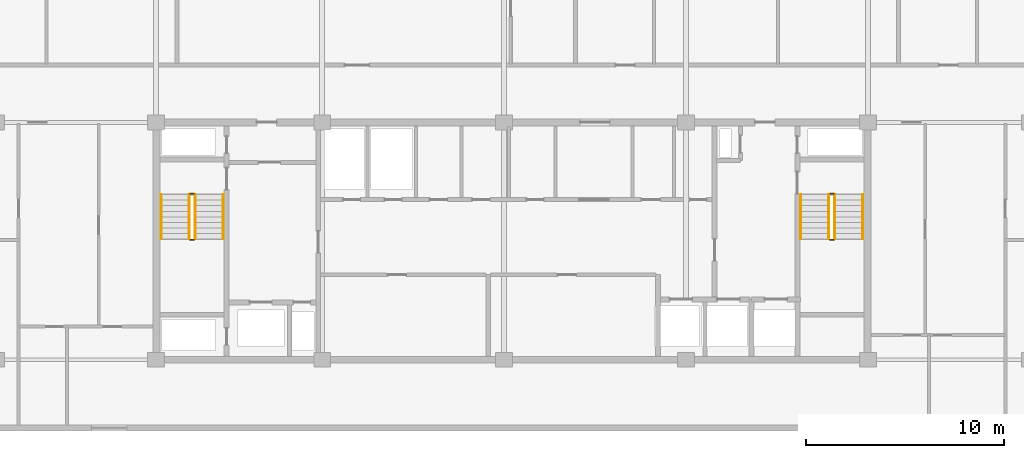
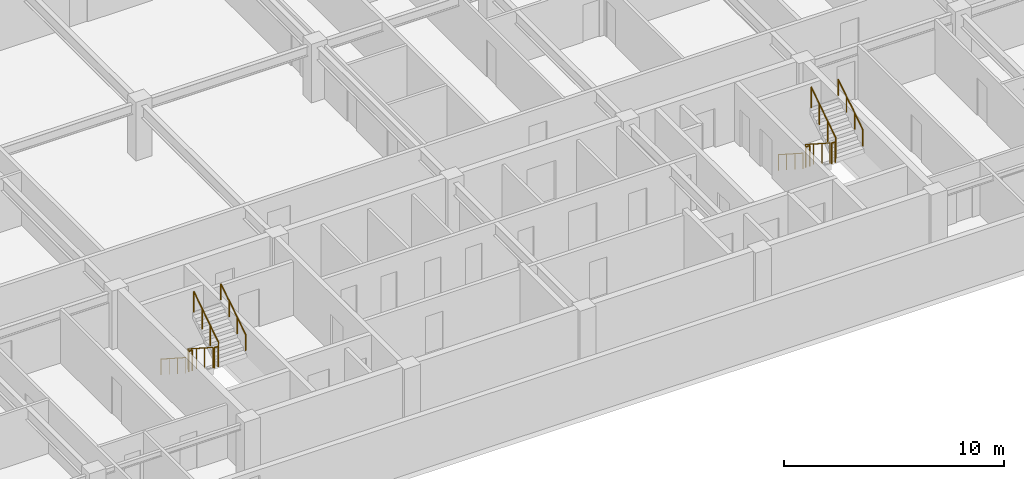
# One storey, part 10 of 11: 12 railings.
"""IFC4 building model written with IfcOpenShell, lengths in metres."""

from ifc_helpers import new_model, si_unit, direction, frame, origin, origin_2d, place, context, subcontext, project, spatial, circle, extrude, material, type_object, element, save


model = new_model("IFC4")

# Units and contexts
model_context = context("Model", 3, precision=1e-05, world=origin(), true_north=direction((0.0, 1.0)))
body_context = subcontext(model_context, "Body", "Model", "MODEL_VIEW")
ifc_project = project(units=[si_unit("LENGTHUNIT", "METRE"), si_unit("AREAUNIT", "SQUARE_METRE"), si_unit("VOLUMEUNIT", "CUBIC_METRE"), si_unit("PLANEANGLEUNIT", "RADIAN"), si_unit("MASSUNIT", "GRAM", prefix="KILO")], contexts=[model_context])

# Site, building, storey
site_placement = place(None, origin())
site = spatial("IfcSite", under=ifc_project, at=site_placement, CompositionType="ELEMENT")
building_placement = place(site_placement, origin())
building = spatial("IfcBuilding", under=site, at=building_placement, Name="Korimba Cascade Residences", CompositionType="ELEMENT")
storey_placement = place(building_placement, frame((0.0, 0.0, 220.60009765625)))
storey = spatial("IfcBuildingStorey", under=building, at=storey_placement, Name="L64", CompositionType="ELEMENT", Elevation=220.60009765625)

# Railings
ifc_material_1 = material(Name="Painted Steel Stairwell Guardrail", Category="steel")
railing_type_1 = type_object("IfcRailingType", Name="RLG-ST-GD1150", PredefinedType="GUARDRAIL", material=ifc_material_1)
railing_1_placement = place(storey_placement, frame((77.77001953125, 63.550048828125, 0.180419921875)))
element("IfcRailing", 1, at=railing_1_placement, inside=storey, type_object=railing_type_1, Name="L64 ST-W1 stair guard 1", PredefinedType="GUARDRAIL", context=body_context, shape_type="SweptSolid", body=[
    extrude(circle(Radius=0.02392578125, at=origin_2d()), frame((0.0, 0.0, 1.1259765625), z_axis=(0.0, -0.840394893359, 0.541974559565), x_axis=(1.0, 0.0, 0.0)), (0.0, 0.0, 1.0), 2.665283203125),
    extrude(circle(Radius=0.02099609375, at=origin_2d()), origin(), (0.0, 0.0, 1.0), 1.101806640625),
    extrude(circle(Radius=0.02099609375, at=origin_2d()), frame((0.0, -0.74658203125, 0.4814453125)), (0.0, 0.0, 1.0), 1.101806640625),
    extrude(circle(Radius=0.02099609375, at=origin_2d()), frame((0.0, -1.493408203125, 0.963134765625)), (0.0, 0.0, 1.0), 1.101806640625),
    extrude(circle(Radius=0.02099609375, at=origin_2d()), frame((0.0, -2.239990234375, 1.444580078125)), (0.0, 0.0, 1.0), 1.101806640625),
])
railing_2_placement = place(storey_placement, frame((77.820068359375, 61.260009765625, 1.625)))
element("IfcRailing", 2, at=railing_2_placement, inside=storey, type_object=railing_type_1, Name="L64 ST-W1 stair guard 2", PredefinedType="GUARDRAIL", context=body_context, shape_type="SweptSolid", body=[
    extrude(circle(Radius=0.02392578125, at=origin_2d()), frame((0.0, 0.0, 1.1259765625), z_axis=(1.0, 0.0, 0.0), x_axis=(0.0, 1.0, 0.0)), (0.0, 0.0, 1.0), 0.199951171875),
    extrude(circle(Radius=0.02099609375, at=origin_2d()), origin(), (0.0, 0.0, 1.0), 1.101806640625),
    extrude(circle(Radius=0.02099609375, at=origin_2d()), frame((0.199951171875, 0.0, 0.0)), (0.0, 0.0, 1.0), 1.101806640625),
])
railing_3_placement = place(storey_placement, frame((78.070068359375, 61.31005859375, 1.805419921875)))
element("IfcRailing", 3, at=railing_3_placement, inside=storey, type_object=railing_type_1, Name="L64 ST-W1 stair guard 3", PredefinedType="GUARDRAIL", context=body_context, shape_type="SweptSolid", body=[
    extrude(circle(Radius=0.02392578125, at=origin_2d()), frame((0.0, 0.0, 1.1259765625), z_axis=(0.0, 0.840394893359, 0.541974559565), x_axis=(-1.0, 0.0, 0.0)), (0.0, 0.0, 1.0), 2.665283203125),
    extrude(circle(Radius=0.02099609375, at=origin_2d()), origin(), (0.0, 0.0, 1.0), 1.101806640625),
    extrude(circle(Radius=0.02099609375, at=origin_2d()), frame((0.0, 0.74658203125, 0.4814453125)), (0.0, 0.0, 1.0), 1.101806640625),
    extrude(circle(Radius=0.02099609375, at=origin_2d()), frame((0.0, 1.493408203125, 0.963134765625)), (0.0, 0.0, 1.0), 1.101806640625),
    extrude(circle(Radius=0.02099609375, at=origin_2d()), frame((0.0, 2.239990234375, 1.444580078125)), (0.0, 0.0, 1.0), 1.101806640625),
])
railing_4_placement = place(storey_placement, frame((77.820068359375, 63.60009765625, 0.0)))
element("IfcRailing", 4, at=railing_4_placement, inside=storey, type_object=railing_type_1, Name="L64 ST-W1 stair guard 4", PredefinedType="GUARDRAIL", context=body_context, shape_type="SweptSolid", body=[
    extrude(circle(Radius=0.02392578125, at=origin_2d()), frame((0.0, 0.0, 1.1259765625), z_axis=(1.0, 0.0, 0.0), x_axis=(0.0, 1.0, 0.0)), (0.0, 0.0, 1.0), 0.199951171875),
    extrude(circle(Radius=0.02099609375, at=origin_2d()), origin(), (0.0, 0.0, 1.0), 1.101806640625),
    extrude(circle(Radius=0.02099609375, at=origin_2d()), frame((0.199951171875, 0.0, 0.0)), (0.0, 0.0, 1.0), 1.101806640625),
])
railing_5_placement = place(storey_placement, frame((110.1298828125, 63.550048828125, 0.180419921875)))
element("IfcRailing", 5, at=railing_5_placement, inside=storey, type_object=railing_type_1, Name="L64 ST-W2 stair guard 1", PredefinedType="GUARDRAIL", context=body_context, shape_type="SweptSolid", body=[
    extrude(circle(Radius=0.02392578125, at=origin_2d()), frame((0.0, 0.0, 1.1259765625), z_axis=(0.0, -0.840394893359, 0.541974559565), x_axis=(1.0, 0.0, 0.0)), (0.0, 0.0, 1.0), 2.665283203125),
    extrude(circle(Radius=0.02099609375, at=origin_2d()), origin(), (0.0, 0.0, 1.0), 1.101806640625),
    extrude(circle(Radius=0.02099609375, at=origin_2d()), frame((0.0, -0.74658203125, 0.4814453125)), (0.0, 0.0, 1.0), 1.101806640625),
    extrude(circle(Radius=0.02099609375, at=origin_2d()), frame((0.0, -1.493408203125, 0.963134765625)), (0.0, 0.0, 1.0), 1.101806640625),
    extrude(circle(Radius=0.02099609375, at=origin_2d()), frame((0.0, -2.239990234375, 1.444580078125)), (0.0, 0.0, 1.0), 1.101806640625),
])
railing_6_placement = place(storey_placement, frame((110.179931640625, 61.260009765625, 1.625)))
element("IfcRailing", 6, at=railing_6_placement, inside=storey, type_object=railing_type_1, Name="L64 ST-W2 stair guard 2", PredefinedType="GUARDRAIL", context=body_context, shape_type="SweptSolid", body=[
    extrude(circle(Radius=0.02392578125, at=origin_2d()), frame((0.0, 0.0, 1.1259765625), z_axis=(1.0, 0.0, 0.0), x_axis=(0.0, 1.0, 0.0)), (0.0, 0.0, 1.0), 0.199951171875),
    extrude(circle(Radius=0.02099609375, at=origin_2d()), origin(), (0.0, 0.0, 1.0), 1.101806640625),
    extrude(circle(Radius=0.02099609375, at=origin_2d()), frame((0.199951171875, 0.0, 0.0)), (0.0, 0.0, 1.0), 1.101806640625),
])
railing_7_placement = place(storey_placement, frame((110.429931640625, 61.31005859375, 1.805419921875)))
element("IfcRailing", 7, at=railing_7_placement, inside=storey, type_object=railing_type_1, Name="L64 ST-W2 stair guard 3", PredefinedType="GUARDRAIL", context=body_context, shape_type="SweptSolid", body=[
    extrude(circle(Radius=0.02392578125, at=origin_2d()), frame((0.0, 0.0, 1.1259765625), z_axis=(0.0, 0.840394893359, 0.541974559565), x_axis=(-1.0, 0.0, 0.0)), (0.0, 0.0, 1.0), 2.665283203125),
    extrude(circle(Radius=0.02099609375, at=origin_2d()), origin(), (0.0, 0.0, 1.0), 1.101806640625),
    extrude(circle(Radius=0.02099609375, at=origin_2d()), frame((0.0, 0.74658203125, 0.4814453125)), (0.0, 0.0, 1.0), 1.101806640625),
    extrude(circle(Radius=0.02099609375, at=origin_2d()), frame((0.0, 1.493408203125, 0.963134765625)), (0.0, 0.0, 1.0), 1.101806640625),
    extrude(circle(Radius=0.02099609375, at=origin_2d()), frame((0.0, 2.239990234375, 1.444580078125)), (0.0, 0.0, 1.0), 1.101806640625),
])
railing_8_placement = place(storey_placement, frame((110.179931640625, 63.60009765625, 0.0)))
element("IfcRailing", 8, at=railing_8_placement, inside=storey, type_object=railing_type_1, Name="L64 ST-W2 stair guard 4", PredefinedType="GUARDRAIL", context=body_context, shape_type="SweptSolid", body=[
    extrude(circle(Radius=0.02392578125, at=origin_2d()), frame((0.0, 0.0, 1.1259765625), z_axis=(1.0, 0.0, 0.0), x_axis=(0.0, 1.0, 0.0)), (0.0, 0.0, 1.0), 0.199951171875),
    extrude(circle(Radius=0.02099609375, at=origin_2d()), origin(), (0.0, 0.0, 1.0), 1.101806640625),
    extrude(circle(Radius=0.02099609375, at=origin_2d()), frame((0.199951171875, 0.0, 0.0)), (0.0, 0.0, 1.0), 1.101806640625),
])
ifc_material_2 = material(Name="Brushed Stainless Steel Handrail", Category="steel")
railing_type_2 = type_object("IfcRailingType", Name="RLG-ST-HR900", PredefinedType="HANDRAIL", material=ifc_material_2)
railing_9_placement = place(storey_placement, frame((76.35009765625, 63.550048828125, 0.36474609375)))
element("IfcRailing", 9, at=railing_9_placement, inside=storey, type_object=railing_type_2, Name="L64 ST-W1 stair handrail 1", PredefinedType="HANDRAIL", context=body_context, shape_type="SweptSolid", body=[
    extrude(circle(Radius=0.02392578125, at=origin_2d()), frame((0.0, 0.0, 0.8759765625), z_axis=(0.0, -0.840394893359, 0.541974559565), x_axis=(1.0, 0.0, 0.0)), (0.0, 0.0, 1.0), 2.665283203125),
    extrude(circle(Radius=0.02099609375, at=origin_2d()), origin(), (0.0, 0.0, 1.0), 0.851806640625),
    extrude(circle(Radius=0.02099609375, at=origin_2d()), frame((0.0, -0.74658203125, 0.4814453125)), (0.0, 0.0, 1.0), 0.851806640625),
    extrude(circle(Radius=0.02099609375, at=origin_2d()), frame((0.0, -1.493408203125, 0.963134765625)), (0.0, 0.0, 1.0), 0.851806640625),
    extrude(circle(Radius=0.02099609375, at=origin_2d()), frame((0.0, -2.239990234375, 1.444580078125)), (0.0, 0.0, 1.0), 0.851806640625),
])
railing_10_placement = place(storey_placement, frame((79.489990234375, 61.31005859375, 1.98974609375)))
element("IfcRailing", 10, at=railing_10_placement, inside=storey, type_object=railing_type_2, Name="L64 ST-W1 stair handrail 2", PredefinedType="HANDRAIL", context=body_context, shape_type="SweptSolid", body=[
    extrude(circle(Radius=0.02392578125, at=origin_2d()), frame((0.0, 0.0, 0.8759765625), z_axis=(0.0, 0.840394893359, 0.541974559565), x_axis=(-1.0, 0.0, 0.0)), (0.0, 0.0, 1.0), 2.665283203125),
    extrude(circle(Radius=0.02099609375, at=origin_2d()), origin(), (0.0, 0.0, 1.0), 0.851806640625),
    extrude(circle(Radius=0.02099609375, at=origin_2d()), frame((0.0, 0.74658203125, 0.4814453125)), (0.0, 0.0, 1.0), 0.851806640625),
    extrude(circle(Radius=0.02099609375, at=origin_2d()), frame((0.0, 1.493408203125, 0.963134765625)), (0.0, 0.0, 1.0), 0.851806640625),
    extrude(circle(Radius=0.02099609375, at=origin_2d()), frame((0.0, 2.239990234375, 1.444580078125)), (0.0, 0.0, 1.0), 0.851806640625),
])
railing_11_placement = place(storey_placement, frame((108.7099609375, 63.550048828125, 0.36474609375)))
element("IfcRailing", 11, at=railing_11_placement, inside=storey, type_object=railing_type_2, Name="L64 ST-W2 stair handrail 1", PredefinedType="HANDRAIL", context=body_context, shape_type="SweptSolid", body=[
    extrude(circle(Radius=0.02392578125, at=origin_2d()), frame((0.0, 0.0, 0.8759765625), z_axis=(0.0, -0.840394893359, 0.541974559565), x_axis=(1.0, 0.0, 0.0)), (0.0, 0.0, 1.0), 2.665283203125),
    extrude(circle(Radius=0.02099609375, at=origin_2d()), origin(), (0.0, 0.0, 1.0), 0.851806640625),
    extrude(circle(Radius=0.02099609375, at=origin_2d()), frame((0.0, -0.74658203125, 0.4814453125)), (0.0, 0.0, 1.0), 0.851806640625),
    extrude(circle(Radius=0.02099609375, at=origin_2d()), frame((0.0, -1.493408203125, 0.963134765625)), (0.0, 0.0, 1.0), 0.851806640625),
    extrude(circle(Radius=0.02099609375, at=origin_2d()), frame((0.0, -2.239990234375, 1.444580078125)), (0.0, 0.0, 1.0), 0.851806640625),
])
railing_12_placement = place(storey_placement, frame((111.85009765625, 61.31005859375, 1.98974609375)))
element("IfcRailing", 12, at=railing_12_placement, inside=storey, type_object=railing_type_2, Name="L64 ST-W2 stair handrail 2", PredefinedType="HANDRAIL", context=body_context, shape_type="SweptSolid", body=[
    extrude(circle(Radius=0.02392578125, at=origin_2d()), frame((0.0, 0.0, 0.8759765625), z_axis=(0.0, 0.840394893359, 0.541974559565), x_axis=(-1.0, 0.0, 0.0)), (0.0, 0.0, 1.0), 2.665283203125),
    extrude(circle(Radius=0.02099609375, at=origin_2d()), origin(), (0.0, 0.0, 1.0), 0.851806640625),
    extrude(circle(Radius=0.02099609375, at=origin_2d()), frame((0.0, 0.74658203125, 0.4814453125)), (0.0, 0.0, 1.0), 0.851806640625),
    extrude(circle(Radius=0.02099609375, at=origin_2d()), frame((0.0, 1.493408203125, 0.963134765625)), (0.0, 0.0, 1.0), 0.851806640625),
    extrude(circle(Radius=0.02099609375, at=origin_2d()), frame((0.0, 2.239990234375, 1.444580078125)), (0.0, 0.0, 1.0), 0.851806640625),
])

save(model, "model.ifc")
